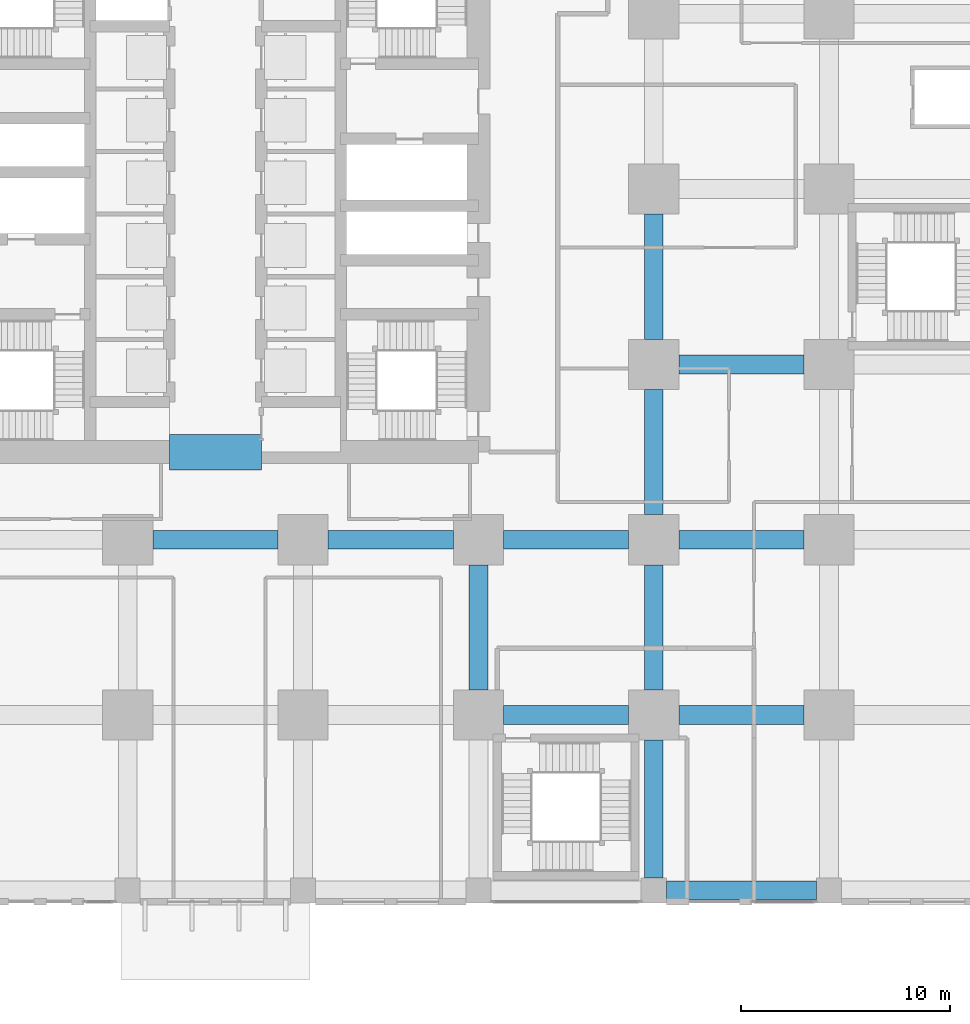
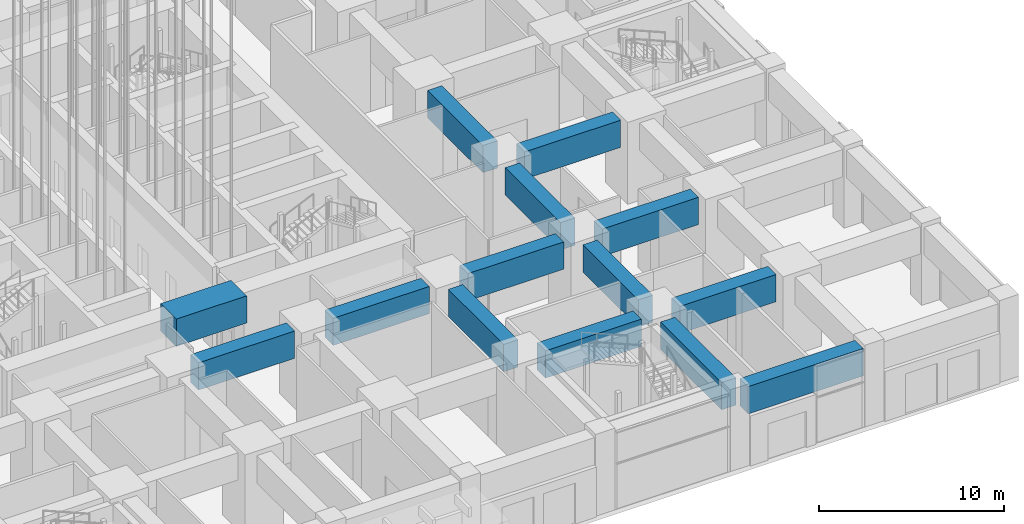
# One storey, part 16 of 81: 14 beams.
"""IFC4 building model written with IfcOpenShell, lengths in metres."""

from ifc_helpers import new_model, si_unit, direction, frame, origin, origin_2d, place, context, subcontext, project, spatial, rectangle, extrude, material, material_profile, profile_set, type_object, element, save


model = new_model("IFC4")

# Units and contexts
model_context = context("Model", 3, precision=1e-05, world=origin(), true_north=direction((0.0, 1.0)))
body_context = subcontext(model_context, "Body", "Model", "MODEL_VIEW")
ifc_project = project(units=[si_unit("LENGTHUNIT", "METRE"), si_unit("AREAUNIT", "SQUARE_METRE"), si_unit("VOLUMEUNIT", "CUBIC_METRE"), si_unit("PLANEANGLEUNIT", "RADIAN"), si_unit("MASSUNIT", "GRAM", prefix="KILO")], contexts=[model_context])

# Site, building, storey
site_placement = place(None, origin())
site = spatial("IfcSite", under=ifc_project, at=site_placement, CompositionType="ELEMENT")
building_placement = place(site_placement, origin())
building = spatial("IfcBuilding", under=site, at=building_placement, Name="Rekha Terrace Tower", CompositionType="ELEMENT")
storey_placement = place(building_placement, origin())
storey = spatial("IfcBuildingStorey", under=building, at=storey_placement, Name="L00", CompositionType="ELEMENT", Elevation=0.0)

# Beams
ifc_material_1 = material(Name="Concrete M60", Category="concrete")
ifc_material_profile_1 = material_profile(ifc_material_1, rectangle(XDim=0.89990234375, YDim=1.800048828125, at=origin_2d()), Name="RC 900x1800")
ifc_profile_set_1 = profile_set([ifc_material_profile_1], Name="Concrete M60")
beam_type_1 = type_object("IfcBeamType", Name="G1 900x1800 podium floor beam", PredefinedType="BEAM", material=ifc_profile_set_1)
for number, where, z_axis, x_axis, name in (
    (1, (34.800048828125, 16.800048828125, 4.199951171875), (1.0, 0.0, 0.0), (0.0, 1.0, 0.0), "Beam G1 5C-6C under L01"),
    (2, (43.199951171875, 16.800048828125, 4.199951171875), (1.0, 0.0, 0.0), (0.0, 1.0, 0.0), "Beam G1 6C-7C under L01"),
    (3, (51.60009765625, 8.39990234375, 4.199951171875), (1.0, 0.0, 0.0), (0.0, 1.0, 0.0), "Beam G1 7B-8B under L01"),
    (4, (50.39990234375, 9.60009765625, 4.199951171875), (0.0, 1.0, 0.0), (-1.0, 0.0, 0.0), "Beam G1 7B-7C under L01"),
    (5, (51.60009765625, 16.800048828125, 4.199951171875), (1.0, 0.0, 0.0), (0.0, 1.0, 0.0), "Beam G1 7C-8C under L01"),
):
    element("IfcBeam", number, at=place(storey_placement, frame(where, z_axis=z_axis, x_axis=x_axis)), inside=storey, type_object=beam_type_1, Name=name, PredefinedType="BEAM", context=body_context, shape_type="SweptSolid", body=[
        extrude(rectangle(XDim=0.89990234375, YDim=1.800048828125, at=origin_2d()), origin(), (0.0, 0.0, 1.0), 6.0),
    ])
beam_1_placement = place(storey_placement, frame((59.39990234375, 0.0, 4.199951171875), z_axis=(1.0, 0.0, 0.0), x_axis=(0.0, 1.0, 0.0)))
element("IfcBeam", 6, at=beam_1_placement, inside=storey, type_object=beam_type_1, Name="Beam G1 8A-9A under L01", PredefinedType="BEAM", context=body_context, shape_type="SweptSolid", body=[
    extrude(rectangle(XDim=0.89990234375, YDim=1.800048828125, at=origin_2d()), origin(), (0.0, 0.0, 1.0), 7.2001953125),
])
beam_2_placement = place(storey_placement, frame((58.800048828125, 0.60009765625, 4.199951171875), z_axis=(0.0, 1.0, 0.0), x_axis=(-1.0, 0.0, 0.0)))
element("IfcBeam", 7, at=beam_2_placement, inside=storey, type_object=beam_type_1, Name="Beam G1 8A-8B under L01", PredefinedType="BEAM", context=body_context, shape_type="SweptSolid", body=[
    extrude(rectangle(XDim=0.89990234375, YDim=1.800048828125, at=origin_2d()), origin(), (0.0, 0.0, 1.0), 6.599853515625),
])
for number, where, z_axis, x_axis, name in (
    (8, (60.0, 8.39990234375, 4.199951171875), (1.0, 0.0, 0.0), (0.0, 1.0, 0.0), "Beam G1 8B-9B under L01"),
    (9, (58.800048828125, 9.60009765625, 4.199951171875), (0.0, 1.0, 0.0), (-1.0, 0.0, 0.0), "Beam G1 8B-8C under L01"),
    (10, (60.0, 16.800048828125, 4.199951171875), (1.0, 0.0, 0.0), (0.0, 1.0, 0.0), "Beam G1 8C-9C under L01"),
    (11, (58.800048828125, 18.0, 4.199951171875), (0.0, 1.0, 0.0), (-1.0, 0.0, 0.0), "Beam G1 8C-8D under L01"),
    (12, (60.0, 25.199951171875, 4.199951171875), (1.0, 0.0, 0.0), (0.0, 1.0, 0.0), "Beam G1 8D-9D under L01"),
    (13, (58.800048828125, 26.39990234375, 4.199951171875), (0.0, 1.0, 0.0), (-1.0, 0.0, 0.0), "Beam G1 8D-8E under L01"),
):
    element("IfcBeam", number, at=place(storey_placement, frame(where, z_axis=z_axis, x_axis=x_axis)), inside=storey, type_object=beam_type_1, Name=name, PredefinedType="BEAM", context=body_context, shape_type="SweptSolid", body=[
        extrude(rectangle(XDim=0.89990234375, YDim=1.800048828125, at=origin_2d()), origin(), (0.0, 0.0, 1.0), 6.0),
    ])
ifc_material_2 = material(Name="Concrete M70", Category="concrete")
ifc_material_profile_2 = material_profile(ifc_material_2, rectangle(XDim=1.699951171875, YDim=1.800048828125, at=origin_2d()), Name="RC 1700x1800")
ifc_profile_set_2 = profile_set([ifc_material_profile_2], Name="Concrete M70")
beam_type_2 = type_object("IfcBeamType", Name="LB1B 1700x1800 diagonally reinforced coupling beam", PredefinedType="LINTEL", material=ifc_profile_set_2)
beam_3_placement = place(storey_placement, frame((35.60009765625, 21.0, 4.5), z_axis=(1.0, 0.0, 0.0), x_axis=(0.0, 1.0, 0.0)))
element("IfcBeam", 14, at=beam_3_placement, inside=storey, type_object=beam_type_2, Name="Coupling beam LB1B S L00", PredefinedType="LINTEL", context=body_context, shape_type="SweptSolid", body=[
    extrude(rectangle(XDim=1.699951171875, YDim=1.800048828125, at=origin_2d()), origin(), (0.0, 0.0, 1.0), 4.39990234375),
])

save(model, "model.ifc")
